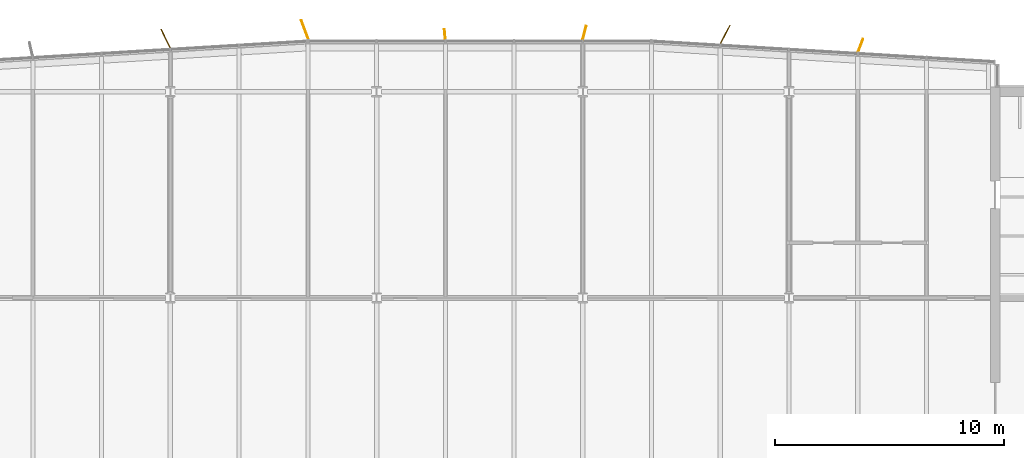
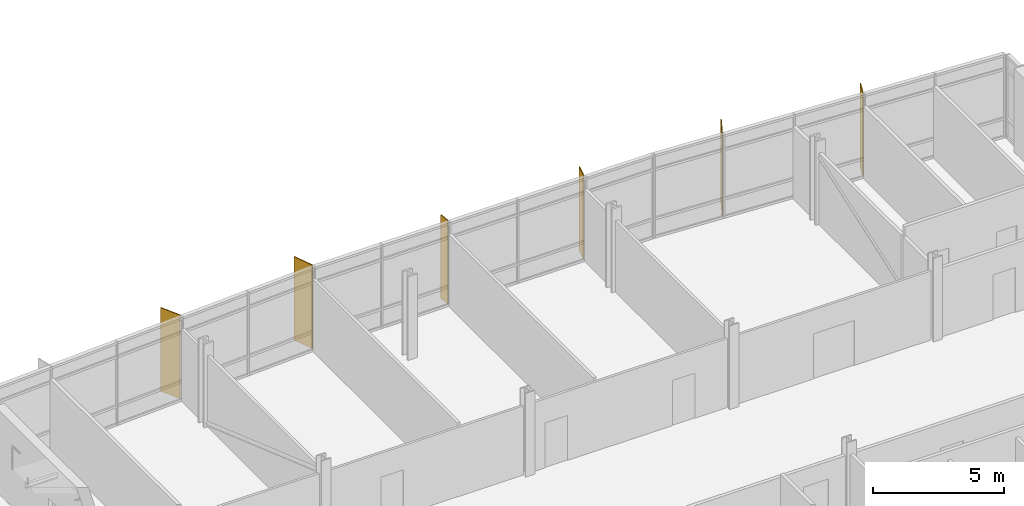
# One storey, part 17 of 17: 6 shading devices.
"""IFC4 building model written with IfcOpenShell, lengths in metres."""

from ifc_helpers import new_model, si_unit, direction, frame, origin, origin_2d, place, context, subcontext, project, spatial, rectangle, extrude, material, layer, layer_set, type_object, element, save


model = new_model("IFC4")

# Units and contexts
model_context = context("Model", 3, precision=1e-05, world=origin(), true_north=direction((0.0, 1.0)))
body_context = subcontext(model_context, "Body", "Model", "MODEL_VIEW")
ifc_project = project(units=[si_unit("LENGTHUNIT", "METRE"), si_unit("AREAUNIT", "SQUARE_METRE"), si_unit("VOLUMEUNIT", "CUBIC_METRE"), si_unit("PLANEANGLEUNIT", "RADIAN"), si_unit("MASSUNIT", "GRAM", prefix="KILO")], contexts=[model_context])

# Site, building, storey
site_placement = place(None, origin())
site = spatial("IfcSite", under=ifc_project, at=site_placement, CompositionType="ELEMENT")
building_placement = place(site_placement, origin())
building = spatial("IfcBuilding", under=site, at=building_placement, Name="Azimuth Sports and Learning Centre", CompositionType="ELEMENT")
storey_placement = place(building_placement, frame((0.0, 0.0, 36.300048828125)))
storey = spatial("IfcBuildingStorey", under=building, at=storey_placement, Name="L07", CompositionType="ELEMENT", Elevation=36.300048828125)

# Shading devices
ifc_material_1 = material(Name="Aluminium", Category="aluminium")
ifc_layer_1 = layer(ifc_material_1, 0.0400390625)
ifc_layer_set_1 = layer_set([ifc_layer_1], Name="Aluminium")
shading_device_type_1 = type_object("IfcShadingDeviceType", Name="Shading fin 450", PredefinedType="JALOUSIE", material=ifc_layer_set_1)
shading_device_placement = place(storey_placement, frame((83.98046875, 119.504150390625, 0.0), z_axis=(0.0, 0.0, 1.0), x_axis=(-0.086979796274, 0.996210075757, 0.0)))
element("IfcShadingDevice", 1, at=shading_device_placement, inside=storey, type_object=shading_device_type_1, Name="Shading fin F07-011", PredefinedType="JALOUSIE", context=body_context, shape_type="SweptSolid", body=[
    extrude(rectangle(XDim=0.449951171875, YDim=0.0400390625, at=origin_2d()), origin(), (0.0, 0.0, 1.0), 3.89990234375),
])
ifc_material_2 = material(Name="Aluminium", Category="aluminium")
ifc_layer_2 = layer(ifc_material_2, 0.0400390625)
ifc_layer_set_2 = layer_set([ifc_layer_2], Name="Aluminium")
shading_device_type_2 = type_object("IfcShadingDeviceType", Name="Shading fin 600", PredefinedType="JALOUSIE", material=ifc_layer_set_2)
for number, where, z_axis, x_axis, name in (
    (2, (102.11962890625, 119.019287109375, 0.0), (0.0, 0.0, 1.0), (0.362748531664, 0.931887065462, 0.0), "Shading fin F07-008"),
    (3, (90.072998046875, 119.571044921875, 0.0), (0.0, 0.0, 1.0), (0.243730896369, 0.969842899729, 0.0), "Shading fin F07-010"),
):
    element("IfcShadingDevice", number, at=place(storey_placement, frame(where, z_axis=z_axis, x_axis=x_axis)), inside=storey, type_object=shading_device_type_2, Name=name, PredefinedType="JALOUSIE", context=body_context, shape_type="SweptSolid", body=[
        extrude(rectangle(XDim=0.60009765625, YDim=0.0400390625, at=origin_2d()), origin(), (0.0, 0.0, 1.0), 3.89990234375),
    ])
ifc_material_3 = material(Name="Aluminium", Category="aluminium")
ifc_layer_3 = layer(ifc_material_3, 0.0400390625)
ifc_layer_set_3 = layer_set([ifc_layer_3], Name="Aluminium")
shading_device_type_3 = type_object("IfcShadingDeviceType", Name="Shading fin 900", PredefinedType="JALOUSIE", material=ifc_layer_set_3)
for number, where, z_axis, x_axis, name in (
    (4, (96.21728515625, 119.49951171875, 0.0), (0.0, 0.0, 1.0), (0.458682723789, 0.888600111916, 0.0), "Shading fin F07-009"),
    (5, (77.870361328125, 119.70068359375, 0.0), (0.0, 0.0, 1.0), (-0.354855844612, 0.934921028507, 0.0), "Shading fin F07-012"),
    (6, (71.7900390625, 119.3232421875, 0.0), (0.0, 0.0, 1.0), (-0.442429089314, 0.896803490698, 0.0), "Shading fin F07-013"),
):
    element("IfcShadingDevice", number, at=place(storey_placement, frame(where, z_axis=z_axis, x_axis=x_axis)), inside=storey, type_object=shading_device_type_3, Name=name, PredefinedType="JALOUSIE", context=body_context, shape_type="SweptSolid", body=[
        extrude(rectangle(XDim=0.89990234375, YDim=0.0400390625, at=origin_2d()), origin(), (0.0, 0.0, 1.0), 3.89990234375),
    ])

save(model, "model.ifc")
